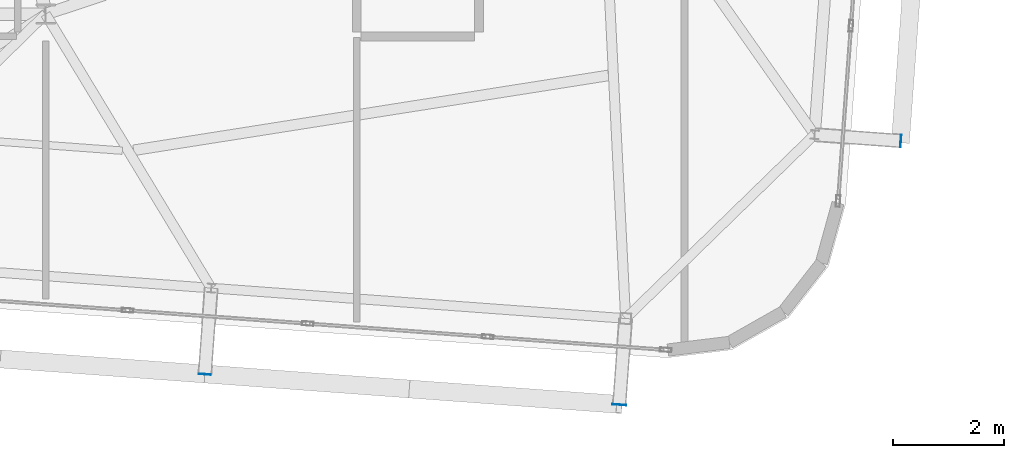
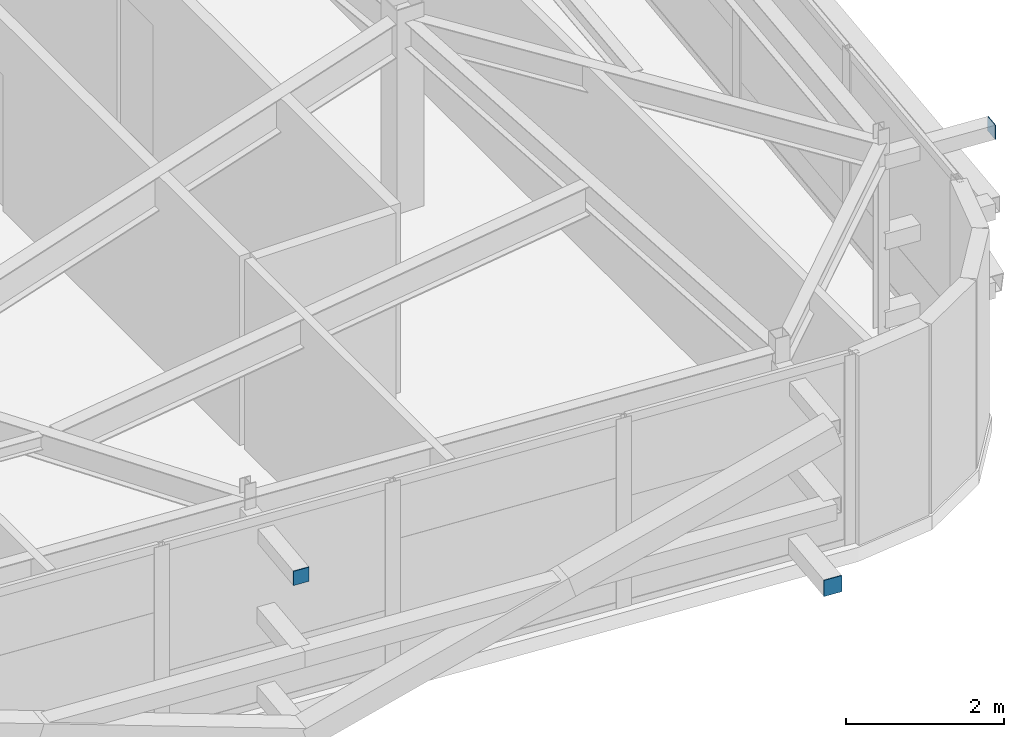
# One storey, part 34 of 42: 3 plates.
"""IFC4 building model written with IfcOpenShell, lengths in metres."""

from ifc_helpers import new_model, si_unit, direction, frame, origin, origin_2d, place, context, subcontext, project, spatial, rectangle, extrude, source, transform, mapped, material, layer, layer_set, type_object, element, save


model = new_model("IFC4")

# Units and contexts
model_context = context("Model", 3, precision=1e-05, world=origin(), true_north=direction((0.0, 1.0)))
body_context = subcontext(model_context, "Body", "Model", "MODEL_VIEW")
ifc_project = project(units=[si_unit("LENGTHUNIT", "METRE"), si_unit("AREAUNIT", "SQUARE_METRE"), si_unit("VOLUMEUNIT", "CUBIC_METRE"), si_unit("PLANEANGLEUNIT", "RADIAN"), si_unit("MASSUNIT", "GRAM", prefix="KILO")], contexts=[model_context])

# Site, building, storey
site_placement = place(None, origin())
site = spatial("IfcSite", under=ifc_project, at=site_placement, CompositionType="ELEMENT")
building_placement = place(site_placement, origin())
building = spatial("IfcBuilding", under=site, at=building_placement, Name="Taldren Reach Tower", CompositionType="ELEMENT")
storey_placement = place(building_placement, frame((0.0, 0.0, 217.699951171875)))
storey = spatial("IfcBuildingStorey", under=building, at=storey_placement, Name="L66", CompositionType="ELEMENT", Elevation=217.699951171875)

# Plates
ifc_material_1 = material(Name="Steel Gr 350 (C350L0)", Category="steel")
ifc_layer_1 = layer(ifc_material_1, 0.011962890625)
ifc_layer_set_1 = layer_set([ifc_layer_1], Name="Steel Gr 350 (C350L0)")
plate_type_1 = type_object("IfcPlateType", Name="PL-CAP-250", PredefinedType="SHEET", material=ifc_layer_set_1)
shared_shape_1 = source(origin(), body_context, "Body", "SweptSolid", [
    extrude(rectangle(XDim=0.25, YDim=0.011962890625, at=origin_2d()), origin(), (0.0, 0.0, 1.0), 0.25),
])
plate_1_placement = place(storey_placement, frame((52.326171875, 2.169189453125, 0.094970703125), z_axis=(0.0, 0.0, 1.0), x_axis=(0.997314477224, -0.073238197128, 0.0)))
element("IfcPlate", 1, at=plate_1_placement, inside=storey, type_object=plate_type_1, Name="Tie strut end cap plate B5-S6 L66", PredefinedType="SHEET", context=body_context, shape_type="MappedRepresentation", body=[
    mapped(shared_shape_1, transform((0.0, 0.0, 0.0), scale=1.0)),
])
ifc_material_2 = material(Name="Steel Gr 450 (C450L0)", Category="steel")
ifc_layer_2 = layer(ifc_material_2, 0.011962890625)
ifc_layer_set_2 = layer_set([ifc_layer_2], Name="Steel Gr 450 (C450L0)")
plate_type_2 = type_object("IfcPlateType", Name="PL-CAP-220", PredefinedType="SHEET", material=ifc_layer_set_2)
shared_shape_2 = source(origin(), body_context, "Body", "SweptSolid", [
    extrude(rectangle(XDim=0.219970703125, YDim=0.011962890625, at=origin_2d()), origin(), (0.0, 0.0, 1.0), 0.219970703125),
])
plate_2_placement = place(storey_placement, frame((44.866455078125, 2.717041015625, 2.5400390625), z_axis=(0.0, 0.0, 1.0), x_axis=(0.997314477224, -0.073238197128, 0.0)))
element("IfcPlate", 2, at=plate_2_placement, inside=storey, type_object=plate_type_2, Name="Tie strut end cap plate B5-S5 L66", PredefinedType="SHEET", context=body_context, shape_type="MappedRepresentation", body=[
    mapped(shared_shape_2, transform((0.0, 0.0, 0.0), scale=1.0)),
])
shared_shape_3 = source(origin(), body_context, "Body", "SweptSolid", [
    extrude(rectangle(XDim=0.011962890625, YDim=0.219970703125, at=origin_2d()), origin(), (0.0, 0.0, 1.0), 0.219970703125),
])
plate_3_placement = place(storey_placement, frame((57.3935546875, 6.9169921875, 2.5400390625), z_axis=(0.0, 0.0, 1.0), x_axis=(0.997314477224, -0.073238197128, 0.0)))
element("IfcPlate", 3, at=plate_3_placement, inside=storey, type_object=plate_type_2, Name="Tie strut end cap plate B5-E1 L66", PredefinedType="SHEET", context=body_context, shape_type="MappedRepresentation", body=[
    mapped(shared_shape_3, transform((0.0, 0.0, 0.0), scale=1.0)),
])

save(model, "model.ifc")
